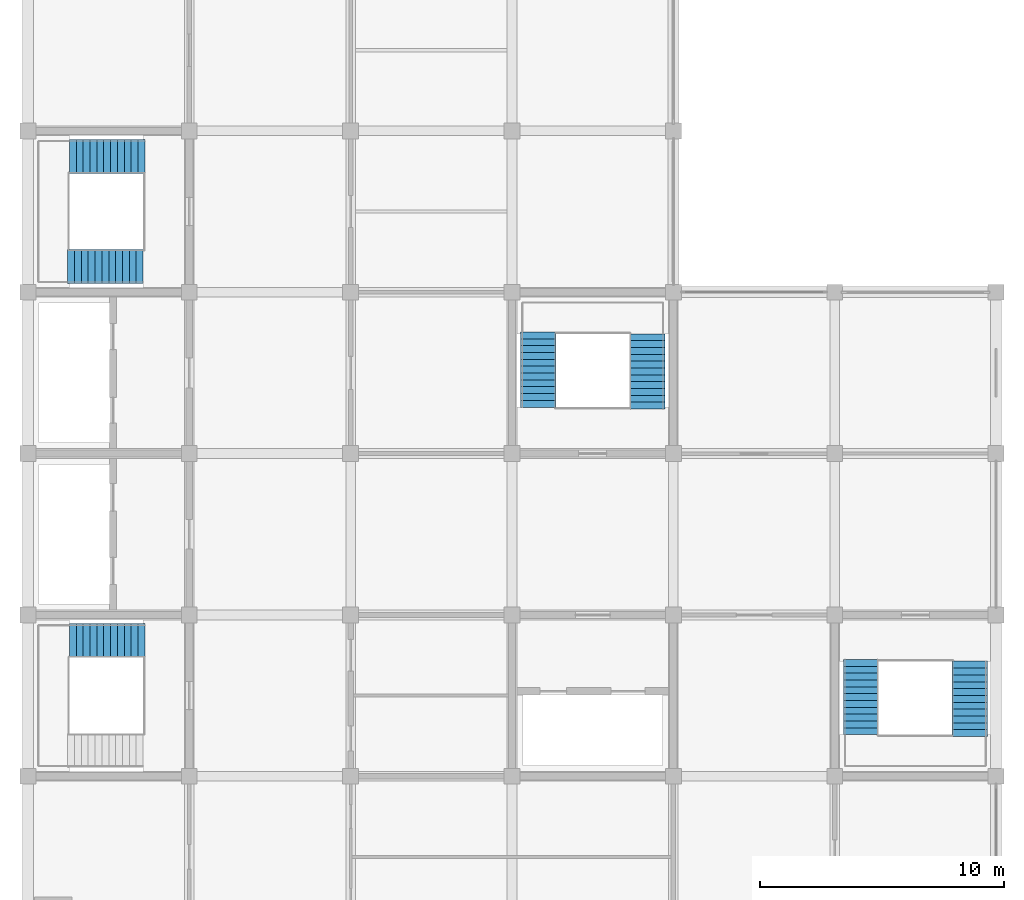
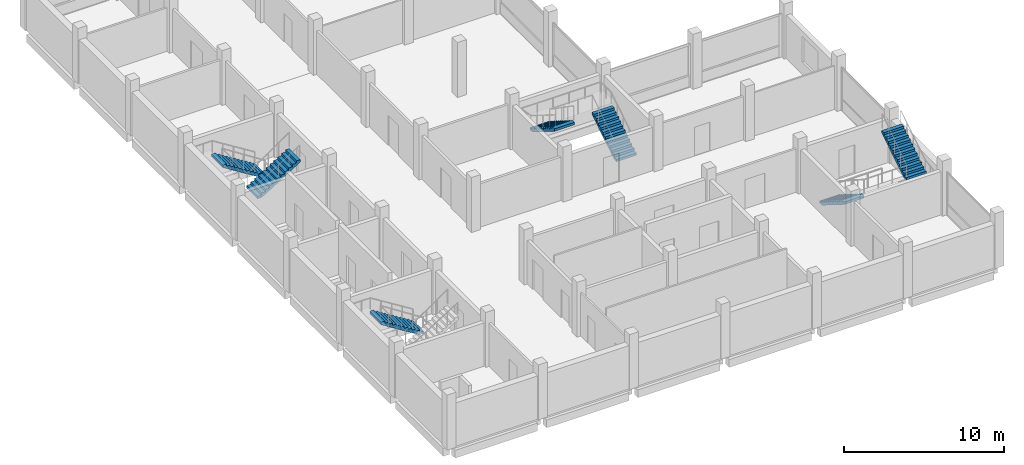
# One storey, part 8 of 9: 7 stair flights, 4 elements without a shape of their own.
"""IFC4 building model written with IfcOpenShell, lengths in metres."""

from ifc_helpers import new_model, si_unit, direction, frame, origin, place, context, subcontext, project, spatial, polyline, outline, extrude, material, type_object, element, aggregate, save


model = new_model("IFC4")

# Units and contexts
model_context = context("Model", 3, precision=1e-05, world=origin(), true_north=direction((0.0, 1.0)))
body_context = subcontext(model_context, "Body", "Model", "MODEL_VIEW")
ifc_project = project(units=[si_unit("LENGTHUNIT", "METRE"), si_unit("AREAUNIT", "SQUARE_METRE"), si_unit("VOLUMEUNIT", "CUBIC_METRE"), si_unit("PLANEANGLEUNIT", "RADIAN"), si_unit("MASSUNIT", "GRAM", prefix="KILO")], contexts=[model_context])

# Site, building, storey
site_placement = place(None, origin())
site = spatial("IfcSite", under=ifc_project, at=site_placement, CompositionType="ELEMENT")
building_placement = place(site_placement, origin())
building = spatial("IfcBuilding", under=site, at=building_placement, Name="Rusizi Kubbe Research Institute", CompositionType="ELEMENT")
storey_placement = place(building_placement, frame((0.0, 0.0, 60.60009765625)))
storey = spatial("IfcBuildingStorey", under=building, at=storey_placement, Name="L14", CompositionType="ELEMENT", Elevation=60.60009765625)

# Stair, stair flight
ifc_material_1 = material(Name="Concrete C40/50", Category="concrete")
stair_type_1 = type_object("IfcStairType", Name="ST-H420A", PredefinedType="HALF_TURN_STAIR", material=ifc_material_1)
stair_1_placement = place(storey_placement, origin())
stair_1 = element("IfcStair", 1, at=stair_1_placement, inside=storey, type_object=stair_type_1, Name="Protected Exit Stair ST1 (L14)", PredefinedType="HALF_TURN_STAIR")
ifc_material_2 = material(Name="Concrete C40/50", Category="concrete")
stair_flight_type_1 = type_object("IfcStairFlightType", Name="FL-H420A", PredefinedType="STRAIGHT", material=ifc_material_2)
stair_flight_1_placement = place(storey_placement, frame((4.780029296875, 12.14990234375, 0.0), z_axis=(0.0, 0.0, 1.0), x_axis=(-1.0, 0.0, 0.0)))
stair_flight_1 = element("IfcStairFlight", 2, at=stair_flight_1_placement, type_object=stair_flight_type_1, Name="ST1 flight 1", NumberOfRisers=12, NumberOfTreads=11, PredefinedType="STRAIGHT", RiserHeight=0.175, TreadLength=0.28, context=body_context, shape_type="SweptSolid", body=[
    extrude(outline(polyline([(0.0, 0.0), (0.0, 0.175048828125), (0.280029296875, 0.175048828125), (0.280029296875, 0.35009765625), (0.56005859375, 0.35009765625), (0.56005859375, 0.52490234375), (0.840087890625, 0.52490234375), (0.840087890625, 0.699951171875), (1.1201171875, 0.699951171875), (1.1201171875, 0.875), (1.39990234375, 0.875), (1.39990234375, 1.050048828125), (1.679931640625, 1.050048828125), (1.679931640625, 1.22509765625), (1.9599609375, 1.22509765625), (1.9599609375, 1.39990234375), (2.239990234375, 1.39990234375), (2.239990234375, 1.574951171875), (2.52001953125, 1.574951171875), (2.52001953125, 1.75), (2.800048828125, 1.75), (2.800048828125, 1.925048828125), (3.080078125, 1.925048828125), (3.080078125, 2.10009765625), (3.080078125, 1.736328125), (0.3017578125, 0.0), (0.0, 0.0)])), frame((0.0, 0.699951171875, 0.0), z_axis=(0.0, -1.0, 0.0), x_axis=(1.0, 0.0, 0.0)), (0.0, 0.0, 1.0), 1.39990234375),
])
aggregate(stair_1, [stair_flight_1])

# Stair, stair flights
stair_2_placement = place(storey_placement, origin())
stair_2 = element("IfcStair", 3, at=stair_2_placement, inside=storey, type_object=stair_type_1, Name="Protected Exit Stair ST2 (L14)", PredefinedType="HALF_TURN_STAIR")
stair_flight_2_placement = place(storey_placement, frame((4.780029296875, 31.949951171875, 0.0), z_axis=(0.0, 0.0, 1.0), x_axis=(-1.0, 0.0, 0.0)))
stair_flight_2 = element("IfcStairFlight", 4, at=stair_flight_2_placement, type_object=stair_flight_type_1, Name="ST2 flight 1", NumberOfRisers=12, NumberOfTreads=11, PredefinedType="STRAIGHT", RiserHeight=0.175, TreadLength=0.28, context=body_context, shape_type="SweptSolid", body=[
    extrude(outline(polyline([(0.0, 0.0), (0.0, 0.175048828125), (0.280029296875, 0.175048828125), (0.280029296875, 0.35009765625), (0.56005859375, 0.35009765625), (0.56005859375, 0.52490234375), (0.840087890625, 0.52490234375), (0.840087890625, 0.699951171875), (1.1201171875, 0.699951171875), (1.1201171875, 0.875), (1.39990234375, 0.875), (1.39990234375, 1.050048828125), (1.679931640625, 1.050048828125), (1.679931640625, 1.22509765625), (1.9599609375, 1.22509765625), (1.9599609375, 1.39990234375), (2.239990234375, 1.39990234375), (2.239990234375, 1.574951171875), (2.52001953125, 1.574951171875), (2.52001953125, 1.75), (2.800048828125, 1.75), (2.800048828125, 1.925048828125), (3.080078125, 1.925048828125), (3.080078125, 2.10009765625), (3.080078125, 1.736328125), (0.3017578125, 0.0), (0.0, 0.0)])), frame((0.0, 0.699951171875, 0.0), z_axis=(0.0, -1.0, 0.0), x_axis=(1.0, 0.0, 0.0)), (0.0, 0.0, 1.0), 1.39990234375),
])
stair_flight_3_placement = place(storey_placement, frame((1.6259765625, 27.449951171875, 2.099853515625), z_axis=(0.0, 0.0, 1.0), x_axis=(1.0, 0.0, 0.0)))
stair_flight_3 = element("IfcStairFlight", 5, at=stair_flight_3_placement, type_object=stair_flight_type_1, Name="ST2 flight 2", NumberOfRisers=12, NumberOfTreads=11, PredefinedType="STRAIGHT", RiserHeight=0.175, TreadLength=0.28, context=body_context, shape_type="SweptSolid", body=[
    extrude(outline(polyline([(0.0, 0.0), (0.0, 0.175048828125), (0.280029296875, 0.175048828125), (0.280029296875, 0.35009765625), (0.56005859375, 0.35009765625), (0.56005859375, 0.52490234375), (0.840087890625, 0.52490234375), (0.840087890625, 0.699951171875), (1.1201171875, 0.699951171875), (1.1201171875, 0.875), (1.39990234375, 0.875), (1.39990234375, 1.050048828125), (1.679931640625, 1.050048828125), (1.679931640625, 1.22509765625), (1.9599609375, 1.22509765625), (1.9599609375, 1.39990234375), (2.239990234375, 1.39990234375), (2.239990234375, 1.574951171875), (2.52001953125, 1.574951171875), (2.52001953125, 1.75), (2.800048828125, 1.75), (2.800048828125, 1.925048828125), (3.080078125, 1.925048828125), (3.080078125, 2.10009765625), (3.080078125, 1.736328125), (0.3017578125, 0.0), (0.0, 0.0)])), frame((0.0, 0.699951171875, 0.0), z_axis=(0.0, -1.0, 0.0), x_axis=(1.0, 0.0, 0.0)), (0.0, 0.0, 1.0), 1.39990234375),
])
aggregate(stair_2, [stair_flight_2, stair_flight_3])

ifc_material_3 = material(Name="Concrete C40/50", Category="concrete")
stair_type_2 = type_object("IfcStairType", Name="ST-H420B", PredefinedType="HALF_TURN_STAIR", material=ifc_material_3)
stair_3_placement = place(storey_placement, origin())
stair_3 = element("IfcStair", 6, at=stair_3_placement, inside=storey, type_object=stair_type_2, Name="Protected Exit Stair ST3 (L14)", PredefinedType="HALF_TURN_STAIR")
ifc_material_4 = material(Name="Concrete C40/50", Category="concrete")
stair_flight_type_2 = type_object("IfcStairFlightType", Name="FL-H420B", PredefinedType="STRAIGHT", material=ifc_material_4)
stair_flight_4_placement = place(storey_placement, frame((25.324951171875, 21.6201171875, 0.0), z_axis=(0.0, 0.0, 1.0), x_axis=(0.0, 1.0, 0.0)))
stair_flight_4 = element("IfcStairFlight", 7, at=stair_flight_4_placement, type_object=stair_flight_type_2, Name="ST3 flight 1", NumberOfRisers=12, NumberOfTreads=11, PredefinedType="STRAIGHT", RiserHeight=0.175, TreadLength=0.28, context=body_context, shape_type="SweptSolid", body=[
    extrude(outline(polyline([(0.0, 0.0), (0.0, 0.175048828125), (0.280029296875, 0.175048828125), (0.280029296875, 0.35009765625), (0.56005859375, 0.35009765625), (0.56005859375, 0.52490234375), (0.840087890625, 0.52490234375), (0.840087890625, 0.699951171875), (1.1201171875, 0.699951171875), (1.1201171875, 0.875), (1.39990234375, 0.875), (1.39990234375, 1.050048828125), (1.679931640625, 1.050048828125), (1.679931640625, 1.22509765625), (1.9599609375, 1.22509765625), (1.9599609375, 1.39990234375), (2.239990234375, 1.39990234375), (2.239990234375, 1.574951171875), (2.52001953125, 1.574951171875), (2.52001953125, 1.75), (2.800048828125, 1.75), (2.800048828125, 1.925048828125), (3.080078125, 1.925048828125), (3.080078125, 2.10009765625), (3.080078125, 1.736328125), (0.3017578125, 0.0), (0.0, 0.0)])), frame((0.0, 0.72509765625, 0.0), z_axis=(0.0, -1.0, 0.0), x_axis=(1.0, 0.0, 0.0)), (0.0, 0.0, 1.0), 1.449951171875),
])
stair_flight_5_placement = place(storey_placement, frame((20.875, 24.77392578125, 2.099853515625), z_axis=(0.0, 0.0, 1.0), x_axis=(0.0, -1.0, 0.0)))
stair_flight_5 = element("IfcStairFlight", 8, at=stair_flight_5_placement, type_object=stair_flight_type_2, Name="ST3 flight 2", NumberOfRisers=12, NumberOfTreads=11, PredefinedType="STRAIGHT", RiserHeight=0.175, TreadLength=0.28, context=body_context, shape_type="SweptSolid", body=[
    extrude(outline(polyline([(0.0, 0.0), (0.0, 0.175048828125), (0.280029296875, 0.175048828125), (0.280029296875, 0.35009765625), (0.56005859375, 0.35009765625), (0.56005859375, 0.52490234375), (0.840087890625, 0.52490234375), (0.840087890625, 0.699951171875), (1.1201171875, 0.699951171875), (1.1201171875, 0.875), (1.39990234375, 0.875), (1.39990234375, 1.050048828125), (1.679931640625, 1.050048828125), (1.679931640625, 1.22509765625), (1.9599609375, 1.22509765625), (1.9599609375, 1.39990234375), (2.239990234375, 1.39990234375), (2.239990234375, 1.574951171875), (2.52001953125, 1.574951171875), (2.52001953125, 1.75), (2.800048828125, 1.75), (2.800048828125, 1.925048828125), (3.080078125, 1.925048828125), (3.080078125, 2.10009765625), (3.080078125, 1.736328125), (0.3017578125, 0.0), (0.0, 0.0)])), frame((0.0, 0.72509765625, 0.0), z_axis=(0.0, -1.0, 0.0), x_axis=(1.0, 0.0, 0.0)), (0.0, 0.0, 1.0), 1.449951171875),
])
aggregate(stair_3, [stair_flight_4, stair_flight_5])

stair_4_placement = place(storey_placement, origin())
stair_4 = element("IfcStair", 9, at=stair_4_placement, inside=storey, type_object=stair_type_2, Name="Protected Exit Stair ST4 (L14)", PredefinedType="HALF_TURN_STAIR")
stair_flight_6_placement = place(storey_placement, frame((34.074951171875, 11.3798828125, 0.0), z_axis=(0.0, 0.0, 1.0), x_axis=(0.0, -1.0, 0.0)))
stair_flight_6 = element("IfcStairFlight", 10, at=stair_flight_6_placement, type_object=stair_flight_type_2, Name="ST4 flight 1", NumberOfRisers=12, NumberOfTreads=11, PredefinedType="STRAIGHT", RiserHeight=0.175, TreadLength=0.28, context=body_context, shape_type="SweptSolid", body=[
    extrude(outline(polyline([(0.0, 0.0), (0.0, 0.175048828125), (0.280029296875, 0.175048828125), (0.280029296875, 0.35009765625), (0.56005859375, 0.35009765625), (0.56005859375, 0.52490234375), (0.840087890625, 0.52490234375), (0.840087890625, 0.699951171875), (1.1201171875, 0.699951171875), (1.1201171875, 0.875), (1.39990234375, 0.875), (1.39990234375, 1.050048828125), (1.679931640625, 1.050048828125), (1.679931640625, 1.22509765625), (1.9599609375, 1.22509765625), (1.9599609375, 1.39990234375), (2.239990234375, 1.39990234375), (2.239990234375, 1.574951171875), (2.52001953125, 1.574951171875), (2.52001953125, 1.75), (2.800048828125, 1.75), (2.800048828125, 1.925048828125), (3.080078125, 1.925048828125), (3.080078125, 2.10009765625), (3.080078125, 1.736328125), (0.3017578125, 0.0), (0.0, 0.0)])), frame((0.0, 0.72509765625, 0.0), z_axis=(0.0, -1.0, 0.0), x_axis=(1.0, 0.0, 0.0)), (0.0, 0.0, 1.0), 1.449951171875),
])
stair_flight_7_placement = place(storey_placement, frame((38.52490234375, 8.22607421875, 2.099853515625), z_axis=(0.0, 0.0, 1.0), x_axis=(0.0, 1.0, 0.0)))
stair_flight_7 = element("IfcStairFlight", 11, at=stair_flight_7_placement, type_object=stair_flight_type_2, Name="ST4 flight 2", NumberOfRisers=12, NumberOfTreads=11, PredefinedType="STRAIGHT", RiserHeight=0.175, TreadLength=0.28, context=body_context, shape_type="SweptSolid", body=[
    extrude(outline(polyline([(0.0, 0.0), (0.0, 0.175048828125), (0.280029296875, 0.175048828125), (0.280029296875, 0.35009765625), (0.56005859375, 0.35009765625), (0.56005859375, 0.52490234375), (0.840087890625, 0.52490234375), (0.840087890625, 0.699951171875), (1.1201171875, 0.699951171875), (1.1201171875, 0.875), (1.39990234375, 0.875), (1.39990234375, 1.050048828125), (1.679931640625, 1.050048828125), (1.679931640625, 1.22509765625), (1.9599609375, 1.22509765625), (1.9599609375, 1.39990234375), (2.239990234375, 1.39990234375), (2.239990234375, 1.574951171875), (2.52001953125, 1.574951171875), (2.52001953125, 1.75), (2.800048828125, 1.75), (2.800048828125, 1.925048828125), (3.080078125, 1.925048828125), (3.080078125, 2.10009765625), (3.080078125, 1.736328125), (0.3017578125, 0.0), (0.0, 0.0)])), frame((0.0, 0.72509765625, 0.0), z_axis=(0.0, -1.0, 0.0), x_axis=(1.0, 0.0, 0.0)), (0.0, 0.0, 1.0), 1.449951171875),
])
aggregate(stair_4, [stair_flight_6, stair_flight_7])

save(model, "model.ifc")
